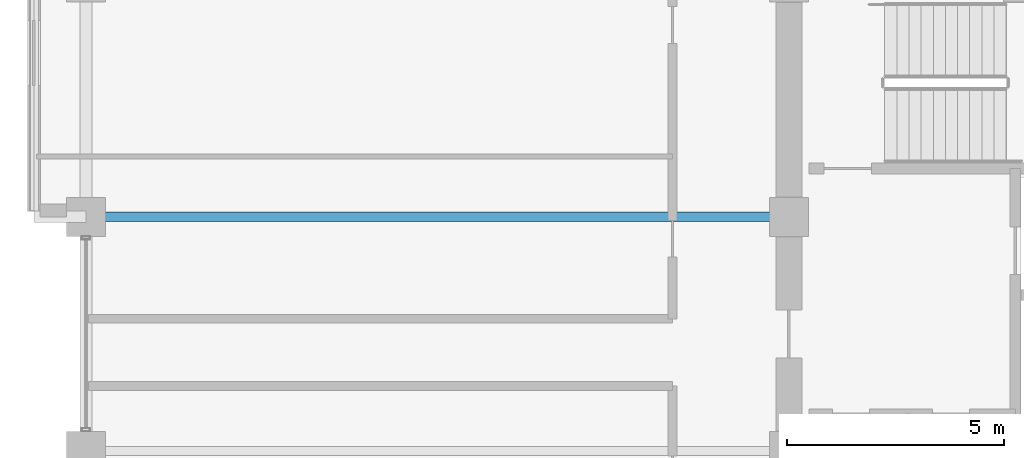
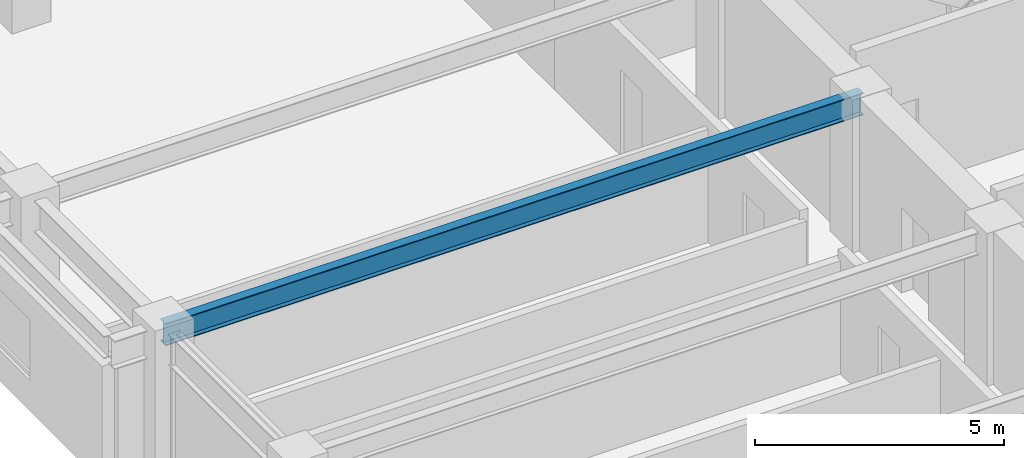
# One storey, part 11 of 32: 1 beam.
"""IFC4 building model written with IfcOpenShell, lengths in metres."""

import ifcopenshell
import ifcopenshell.guid

model = None  # the IFC model being written
_history = None  # IfcOwnerHistory: only IFC2X3 demands one
_inside = {}  # id of a spatial element -> (the spatial element, [elements in it])
_under = {}  # id of a project, library or spatial element -> (it, [spatial elements below it])
_declared = {}  # id of a project -> (the project, [libraries it declares])
_typed = {}  # id of a type object -> (the type object, [elements of that type])
_made_of = {}  # id of a material, layer set ... -> (it, [elements and type objects made of it])


def new_model(schema):
    """Start an empty IFC model of exactly this schema.

    Asked for "IFC4X3", IfcOpenShell would pick the latest addendum, in which some entities
    have other attributes; the version numbers below select the first issue.
    IFC2X3 requires an IfcOwnerHistory on every rooted entity: one is made here for all.
    """
    global model, _history
    if schema == "IFC4X3":
        model = ifcopenshell.file(schema_version=(4, 3, 0, 0))
    else:
        model = ifcopenshell.file(schema=schema)
    _inside.clear()
    _under.clear()
    _declared.clear()
    _typed.clear()
    _made_of.clear()
    _history = None
    if model.schema == "IFC2X3":
        org = make("IfcOrganization", Name="unknown")
        user = make(
            "IfcPersonAndOrganization",
            ThePerson=make("IfcPerson", FamilyName="unknown"),
            TheOrganization=org,
        )
        app = make(
            "IfcApplication",
            ApplicationDeveloper=org,
            Version="unknown",
            ApplicationFullName="unknown",
            ApplicationIdentifier="unknown",
        )
        _history = make(
            "IfcOwnerHistory",
            OwningUser=user,
            OwningApplication=app,
            ChangeAction="ADDED",
            CreationDate=0,
        )
    return model


def make(cls, **values):
    """One entity of the class cls with the attributes given. An attribute that is None is left unset."""
    return model.create_entity(
        cls, **{name: value for name, value in values.items() if value is not None}
    )


def rooted(cls, **values):
    """An entity with a GlobalId (a new one), such as an element, a storey or a relation."""
    return make(cls, GlobalId=ifcopenshell.guid.new(), OwnerHistory=_history, **values)


def si_unit(unit_type, name, prefix=None):
    """IfcSIUnit, for example si_unit("LENGTHUNIT", "METRE", prefix="MILLI")."""
    return make("IfcSIUnit", UnitType=unit_type, Prefix=prefix, Name=name)


def assignment(units):
    """IfcUnitAssignment: the units of a project."""
    return None if units is None else make("IfcUnitAssignment", Units=units)


def point(xyz):
    """IfcCartesianPoint."""
    return None if xyz is None else make("IfcCartesianPoint", Coordinates=xyz)


def direction(xyz):
    """IfcDirection."""
    return None if xyz is None else make("IfcDirection", DirectionRatios=xyz)


def frame(location, z_axis=None, x_axis=None):
    """IfcAxis2Placement3D, a coordinate frame: its origin and axes. An axis left out is left unset."""
    return make(
        "IfcAxis2Placement3D",
        Location=point(location),
        Axis=direction(z_axis),
        RefDirection=direction(x_axis),
    )


def frame_2d(location, x_axis=None):
    """IfcAxis2Placement2D, a coordinate frame in the plane: its origin and x axis."""
    return make(
        "IfcAxis2Placement2D", Location=point(location), RefDirection=direction(x_axis)
    )


def origin():
    """The frame at (0, 0, 0) with its axes left unset."""
    return frame((0.0, 0.0, 0.0))


def origin_2d():
    """The frame at (0, 0) in the plane with its x axis left unset."""
    return frame_2d((0.0, 0.0))


def place(relative_to, where):
    """IfcLocalPlacement: puts the frame where relative to a parent placement (None: the world)."""
    return make(
        "IfcLocalPlacement", PlacementRelTo=relative_to, RelativePlacement=where
    )


def context(
    kind, dimensions, precision=None, world=None, true_north=None, identifier=None
):
    """IfcGeometricRepresentationContext, for example the 3D "Model" context."""
    return make(
        "IfcGeometricRepresentationContext",
        ContextIdentifier=identifier,
        ContextType=kind,
        CoordinateSpaceDimension=dimensions,
        Precision=precision,
        WorldCoordinateSystem=world,
        TrueNorth=true_north,
    )


def subcontext(parent, identifier, kind, view, scale=None):
    """IfcGeometricRepresentationSubContext, for example "Body" below "Model"."""
    return make(
        "IfcGeometricRepresentationSubContext",
        ContextIdentifier=identifier,
        ContextType=kind,
        ParentContext=parent,
        TargetScale=scale,
        TargetView=view,
    )


def project(units=None, contexts=None):
    """IfcProject with its units and contexts."""
    return rooted(
        "IfcProject",
        Name="project",
        RepresentationContexts=contexts,
        UnitsInContext=assignment(units),
    )


def spatial(cls, under=None, at=None, **own):
    """A site, building, storey or space (cls), placed at a placement, below another one or the project."""
    s = rooted(cls, ObjectPlacement=at, **own)
    if under is not None:
        _under.setdefault(under.id(), (under, []))[1].append(s)
    return s


def profile(cls, at=None, kind="AREA", **sizes):
    """A parametric profile (cls). Its sizes go by their IFC names, for example OverallWidth=200.0."""
    return make(cls, ProfileType=kind, Position=at, **sizes)


def i_section(**sizes):
    """IfcIShapeProfileDef."""
    return profile("IfcIShapeProfileDef", **sizes)


def extrude(swept, where, along, depth):
    """IfcExtrudedAreaSolid: the profile swept, set in the frame where, extruded along a direction by depth."""
    return make(
        "IfcExtrudedAreaSolid",
        SweptArea=swept,
        Position=where,
        ExtrudedDirection=direction(along),
        Depth=depth,
    )


def shape(context_of_items, identifier, shape_type, items):
    """IfcShapeRepresentation: the items that make up one representation, for example the "Body"."""
    return make(
        "IfcShapeRepresentation",
        ContextOfItems=context_of_items,
        RepresentationIdentifier=identifier,
        RepresentationType=shape_type,
        Items=items,
    )


def material(Name=None, Category=None):
    """IfcMaterial."""
    return make("IfcMaterial", Name=Name, Category=Category)


def material_profile(
    of_material, cross_section, Name=None, Category=None, Priority=None
):
    """IfcMaterialProfile: a cross section and its material."""
    return make(
        "IfcMaterialProfile",
        Name=Name,
        Material=of_material,
        Profile=cross_section,
        Priority=Priority,
        Category=Category,
    )


def profile_set(profiles, Name=None, composite=None):
    """IfcMaterialProfileSet."""
    return make(
        "IfcMaterialProfileSet",
        Name=Name,
        MaterialProfiles=profiles,
        CompositeProfile=composite,
    )


def made_of(thing, what):
    """Note that an element or type object is made of a material, layer set ...; save() writes the relation."""
    if what is not None:
        _made_of.setdefault(what.id(), (what, []))[1].append(thing)
    return thing


def type_object(cls, material=None, **own):
    """A type object (cls), such as IfcWallType, which elements share."""
    return made_of(rooted(cls, **own), material)


def element(
    cls,
    number,
    at=None,
    inside=None,
    cuts=None,
    type_object=None,
    material=None,
    context=None,
    identifier="Body",
    shape_type=None,
    held_by="IfcProductDefinitionShape",
    body=None,
    shapes=None,
    **own,
):
    """One element of the class cls, such as IfcWall. Its Tag is "e" and its number.

    at: its placement. inside: the storey or other place that contains it. cuts: it is an
    opening in that element (IfcRelVoidsElement). A single representation is given by context,
    identifier, shape_type and body (its items); several are given by shapes. held_by: the class
    of the entity that holds the representations. save() writes the other relations.
    """
    e = rooted(cls, Tag="e%d" % number, ObjectPlacement=at, **own)
    if body is not None:
        shapes = [shape(context, identifier, shape_type, body)]
    if shapes is not None:
        e.Representation = make(held_by, Representations=shapes)
    if inside is not None:
        _inside.setdefault(inside.id(), (inside, []))[1].append(e)
    if cuts is not None:
        rooted(
            "IfcRelVoidsElement", RelatingBuildingElement=cuts, RelatedOpeningElement=e
        )
    if type_object is not None:
        _typed.setdefault(type_object.id(), (type_object, []))[1].append(e)
    return made_of(e, material)


def aggregate(whole, parts):
    """IfcRelAggregates: a whole, such as a stair, and the parts it consists of."""
    return rooted("IfcRelAggregates", RelatingObject=whole, RelatedObjects=parts)


def save(model, path):
    """Write the relations noted so far, then the file.

    IfcRelAggregates (storeys below a building ...), IfcRelContainedInSpatialStructure (elements
    in a storey), IfcRelDefinesByType, IfcRelAssociatesMaterial and IfcRelDeclares: one each for
    every whole, place, type object, material and project.
    """
    for whole, parts in _under.values():
        aggregate(whole, parts)
    for where, things in _inside.values():
        rooted(
            "IfcRelContainedInSpatialStructure",
            RelatedElements=things,
            RelatingStructure=where,
        )
    for kind, things in _typed.values():
        rooted("IfcRelDefinesByType", RelatedObjects=things, RelatingType=kind)
    for what, things in _made_of.values():
        rooted("IfcRelAssociatesMaterial", RelatedObjects=things, RelatingMaterial=what)
    for by, libraries in _declared.values():
        rooted("IfcRelDeclares", RelatingContext=by, RelatedDefinitions=libraries)
    model.write(path)


model = new_model("IFC4")

# Units and contexts
model_context = context("Model", 3, precision=1e-05, world=origin(), true_north=direction((0.0, 1.0)))
body_context = subcontext(model_context, "Body", "Model", "MODEL_VIEW")
ifc_project = project(units=[si_unit("LENGTHUNIT", "METRE"), si_unit("AREAUNIT", "SQUARE_METRE"), si_unit("VOLUMEUNIT", "CUBIC_METRE"), si_unit("PLANEANGLEUNIT", "RADIAN"), si_unit("MASSUNIT", "GRAM", prefix="KILO")], contexts=[model_context])

# Site, building, storey
site_placement = place(None, origin())
site = spatial("IfcSite", under=ifc_project, at=site_placement, CompositionType="ELEMENT")
building_placement = place(site_placement, origin())
building = spatial("IfcBuilding", under=site, at=building_placement, Name="Surkhivell Harbour Commons", CompositionType="ELEMENT")
storey_placement = place(building_placement, frame((0.0, 0.0, 186.0)))
storey = spatial("IfcBuildingStorey", under=building, at=storey_placement, Name="L48", CompositionType="ELEMENT", Elevation=186.0)

# Beam
ifc_material = material(Name="Steel S355", Category="steel")
ifc_material_profile = material_profile(ifc_material, i_section(OverallWidth=0.2119140625, OverallDepth=0.5439453125, WebThickness=0.0126953125, FlangeThickness=0.021240234375, at=origin_2d()), Name="UB533x210x122")
ifc_profile_set = profile_set([ifc_material_profile], Name="Steel S355")
beam_type = type_object("IfcBeamType", Name="BM-GRD-533A", PredefinedType="BEAM", material=ifc_profile_set)
beam_placement = place(storey_placement, frame((-27.0, 5.39990234375, 3.298095703125), z_axis=(1.0, 0.0, 0.0), x_axis=(0.0, 1.0, 0.0)))
element("IfcBeam", 1, at=beam_placement, inside=storey, type_object=beam_type, Name="L48 Floor Girder (-27.0,5.4)", PredefinedType="BEAM", context=body_context, shape_type="SweptSolid", body=[
    extrude(i_section(OverallWidth=0.2119140625, OverallDepth=0.5439453125, WebThickness=0.0126953125, FlangeThickness=0.021240234375, at=origin_2d()), origin(), (0.0, 0.0, 1.0), 16.199951171875),
])

save(model, "model.ifc")
